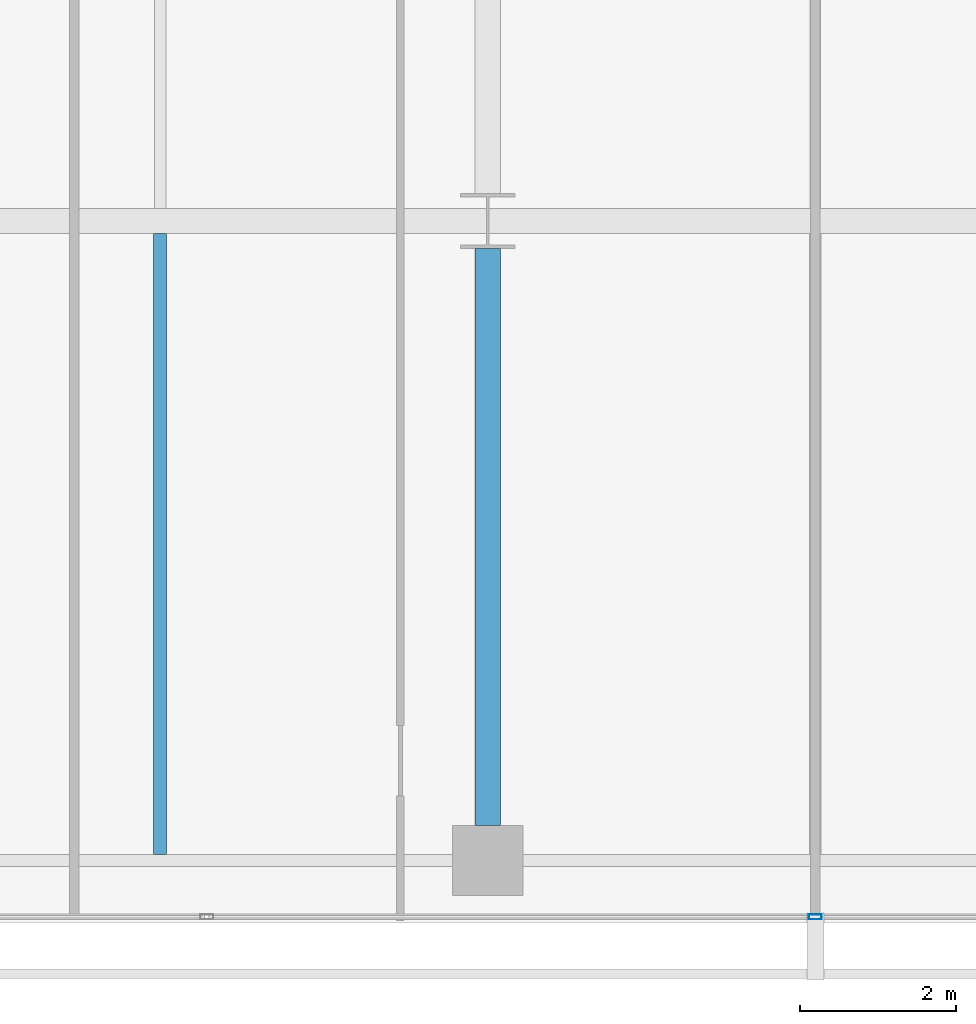
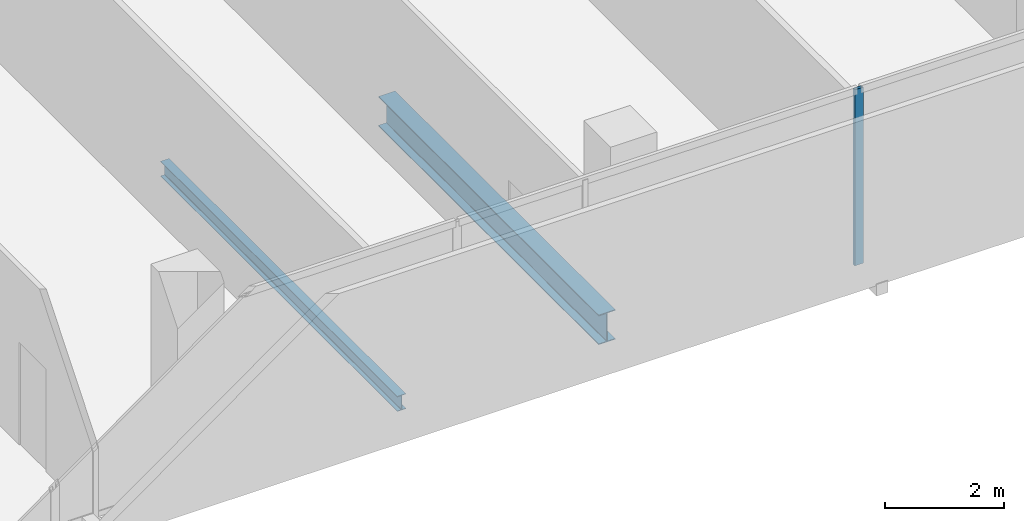
# One storey, part 8 of 40: 2 beams, 1 member, 1 element without a shape of its own.
"""IFC4 building model written with IfcOpenShell, lengths in metres."""

from ifc_helpers import new_model, si_unit, direction, frame, origin, origin_2d, place, context, subcontext, project, spatial, hollow_rectangle, i_section, extrude, material, layer, layer_set, material_profile, profile_set, type_object, element, aggregate, save


model = new_model("IFC4")

# Units and contexts
model_context = context("Model", 3, precision=1e-05, world=origin(), true_north=direction((0.0, 1.0)))
body_context = subcontext(model_context, "Body", "Model", "MODEL_VIEW")
ifc_project = project(units=[si_unit("LENGTHUNIT", "METRE"), si_unit("AREAUNIT", "SQUARE_METRE"), si_unit("VOLUMEUNIT", "CUBIC_METRE"), si_unit("PLANEANGLEUNIT", "RADIAN"), si_unit("MASSUNIT", "GRAM", prefix="KILO")], contexts=[model_context])

# Site, building, storey
site_placement = place(None, origin())
site = spatial("IfcSite", under=ifc_project, at=site_placement, CompositionType="ELEMENT")
building_placement = place(site_placement, origin())
building = spatial("IfcBuilding", under=site, at=building_placement, Name="Maruvema Waterfront Hotel and Observation Tower", CompositionType="ELEMENT")
storey_placement = place(building_placement, frame((0.0, 0.0, 103.949951171875)))
storey = spatial("IfcBuildingStorey", under=building, at=storey_placement, Name="L25", CompositionType="ELEMENT", Elevation=103.949951171875)

# Curtain wall, member
ifc_material_1 = material(Name="Anodised bronze aluminium and solar-control low-E IGU", Category="aluminium")
ifc_layer = layer(ifc_material_1, 0.159912109375, Name="Zone 1 Bronze Inner Thermal Curtain Wall System CW-02")
ifc_layer_set = layer_set([ifc_layer], Name="Anodised bronze aluminium and solar-control low-E IGU")
curtain_wall_type = type_object("IfcCurtainWallType", Name="Zone 1 Bronze Inner Thermal Curtain Wall System CW-02", PredefinedType="USERDEFINED", material=ifc_layer_set)
curtain_wall_placement = place(storey_placement, origin())
curtain_wall = element("IfcCurtainWall", 1, at=curtain_wall_placement, inside=storey, type_object=curtain_wall_type, Name="L25 Curtain Wall CW-L25-S", ObjectType="UNITISED CURTAIN WALL", PredefinedType="USERDEFINED")
ifc_material_2 = material(Name="Anodised architectural bronze aluminium", Category="aluminium")
ifc_material_profile_1 = material_profile(ifc_material_2, hollow_rectangle(XDim=0.06494140625, YDim=0.1650390625, WallThickness=0.00390625, at=origin_2d()), Name="ALU-M65x165")
ifc_profile_set_1 = profile_set([ifc_material_profile_1], Name="Anodised architectural bronze aluminium")
member_type = type_object("IfcMemberType", Name="Curtain Wall Primary Mullion ALU-M65x165", PredefinedType="MULLION", material=ifc_profile_set_1)
member_placement = place(storey_placement, frame((37.800048828125, 0.080078125, 0.0), z_axis=(0.0, 0.0, 1.0), x_axis=(0.0, 1.0, 0.0)))
member = element("IfcMember", 2, at=member_placement, type_object=member_type, Name="CW-02 mullion 4", PredefinedType="MULLION", context=body_context, shape_type="SweptSolid", body=[
    extrude(hollow_rectangle(XDim=0.06494140625, YDim=0.1650390625, WallThickness=0.00390625, at=origin_2d()), origin(), (0.0, 0.0, 1.0), 3.610107421875),
])
aggregate(curtain_wall, [member])

# Beams
ifc_material_3 = material(Name="Steel ASTM A572 Grade 50", Category="steel")
ifc_material_profile_2 = material_profile(ifc_material_3, i_section(OverallWidth=0.323974609375, OverallDepth=0.611083984375, WebThickness=0.0126953125, FlangeThickness=0.01904296875, FilletRadius=0.01806640625, at=origin_2d()), Name="W610x155.0")
ifc_profile_set_2 = profile_set([ifc_material_profile_2], Name="Steel ASTM A572 Grade 50")
beam_type_1 = type_object("IfcBeamType", Name="Primary Floor Girder W610x155.0", PredefinedType="BEAM", material=ifc_profile_set_2)
beam_1_placement = place(storey_placement, frame((33.60009765625, 1.25, -0.54541015625), z_axis=(0.0, 1.0, 0.0), x_axis=(-1.0, 0.0, 0.0)))
element("IfcBeam", 3, at=beam_1_placement, inside=storey, type_object=beam_type_1, Name="L25 Floor Girder NS-16", PredefinedType="BEAM", context=body_context, shape_type="SweptSolid", body=[
    extrude(i_section(OverallWidth=0.323974609375, OverallDepth=0.611083984375, WebThickness=0.0126953125, FlangeThickness=0.01904296875, FilletRadius=0.01806640625, at=origin_2d()), origin(), (0.0, 0.0, 1.0), 7.39990234375),
])
ifc_material_4 = material(Name="Steel ASTM A572 Grade 50", Category="steel")
ifc_material_profile_3 = material_profile(ifc_material_4, i_section(OverallWidth=0.1650390625, OverallDepth=0.31005859375, WebThickness=0.005859375, FlangeThickness=0.009765625, FilletRadius=0.012939453125, at=origin_2d()), Name="W310x38.7")
ifc_profile_set_3 = profile_set([ifc_material_profile_3], Name="Steel ASTM A572 Grade 50")
beam_type_2 = type_object("IfcBeamType", Name="Secondary Floor Joist W310x38.7", PredefinedType="JOIST", material=ifc_profile_set_3)
beam_2_placement = place(storey_placement, frame((29.39990234375, 0.87646484375, -0.39501953125), z_axis=(0.0, 1.0, 0.0), x_axis=(-1.0, 0.0, 0.0)))
element("IfcBeam", 4, at=beam_2_placement, inside=storey, type_object=beam_type_2, Name="L25 Secondary Floor Joist JS-10", PredefinedType="JOIST", context=body_context, shape_type="SweptSolid", body=[
    extrude(i_section(OverallWidth=0.1650390625, OverallDepth=0.31005859375, WebThickness=0.005859375, FlangeThickness=0.009765625, FilletRadius=0.012939453125, at=origin_2d()), origin(), (0.0, 0.0, 1.0), 7.96142578125),
])

save(model, "model.ifc")
